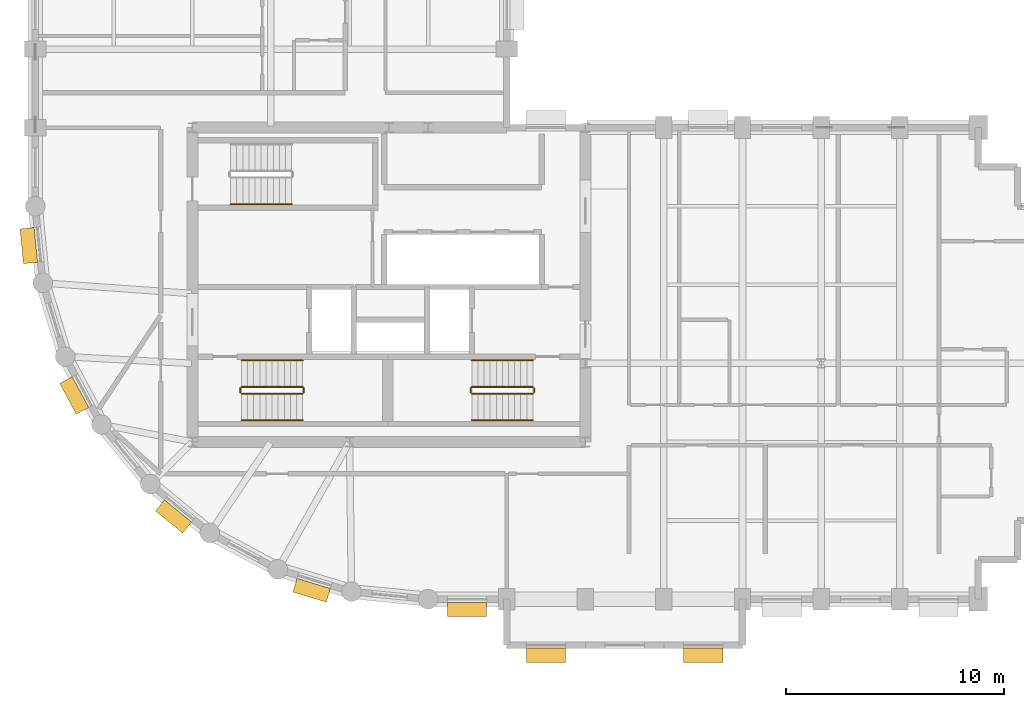
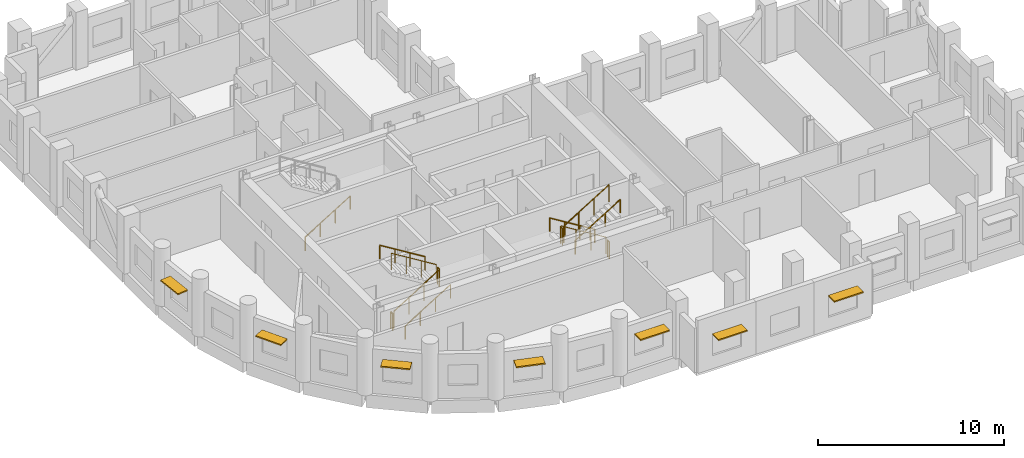
# One storey, part 9 of 11: 13 railings, 7 shading devices.
"""IFC4 building model written with IfcOpenShell, lengths in metres."""

from ifc_helpers import new_model, si_unit, direction, frame, origin, origin_2d, place, context, subcontext, project, spatial, rectangle, circle, extrude, material, layer, layer_set, type_object, element, save


model = new_model("IFC4")

# Units and contexts
model_context = context("Model", 3, precision=1e-05, world=origin(), true_north=direction((0.0, 1.0)))
body_context = subcontext(model_context, "Body", "Model", "MODEL_VIEW")
ifc_project = project(units=[si_unit("LENGTHUNIT", "METRE"), si_unit("AREAUNIT", "SQUARE_METRE"), si_unit("VOLUMEUNIT", "CUBIC_METRE"), si_unit("PLANEANGLEUNIT", "RADIAN"), si_unit("MASSUNIT", "GRAM", prefix="KILO")], contexts=[model_context])

# Site, building, storey
site_placement = place(None, origin())
site = spatial("IfcSite", under=ifc_project, at=site_placement, CompositionType="ELEMENT")
building_placement = place(site_placement, origin())
building = spatial("IfcBuilding", under=site, at=building_placement, Name="Solnavia Interchange Tower", CompositionType="ELEMENT")
storey_placement = place(building_placement, frame((0.0, 0.0, 165.60009765625)))
storey = spatial("IfcBuildingStorey", under=building, at=storey_placement, Name="L41", CompositionType="ELEMENT", Elevation=165.60009765625)

# Railings
ifc_material_1 = material(Name="Painted Steel Balustrade", Category="steel")
railing_type_1 = type_object("IfcRailingType", Name="Railing-StairGuard-1100", PredefinedType="GUARDRAIL", material=ifc_material_1)
railing_1_placement = place(storey_placement, frame((16.64990234375, 13.02001953125, 0.172607421875)))
element("IfcRailing", 1, at=railing_1_placement, inside=storey, type_object=railing_type_1, Name="L41 ST-1 stair guard 1", PredefinedType="GUARDRAIL", context=body_context, shape_type="SweptSolid", body=[
    extrude(circle(Radius=0.02392578125, at=origin_2d()), frame((0.0, 0.0, 1.09619140625), z_axis=(0.851089632645, 0.0, 0.525020415988), x_axis=(0.0, 1.0, 0.0)), (0.0, 0.0, 1.0), 3.2900390625),
    extrude(circle(Radius=0.02099609375, at=origin_2d()), origin(), (0.0, 0.0, 1.0), 1.072021484375),
    extrude(circle(Radius=0.02099609375, at=origin_2d()), frame((0.933349609375, 0.0, 0.57568359375)), (0.0, 0.0, 1.0), 1.072021484375),
    extrude(circle(Radius=0.02099609375, at=origin_2d()), frame((1.86669921875, 0.0, 1.151611328125)), (0.0, 0.0, 1.0), 1.072021484375),
    extrude(circle(Radius=0.02099609375, at=origin_2d()), frame((2.800048828125, 0.0, 1.727294921875)), (0.0, 0.0, 1.0), 1.072021484375),
])
railing_2_placement = place(storey_placement, frame((19.5, 13.070068359375, 1.89990234375)))
element("IfcRailing", 2, at=railing_2_placement, inside=storey, type_object=railing_type_1, Name="L41 ST-1 stair guard 2", PredefinedType="GUARDRAIL", context=body_context, shape_type="SweptSolid", body=[
    extrude(circle(Radius=0.02392578125, at=origin_2d()), frame((0.0, 0.0, 1.09619140625), z_axis=(0.0, 1.0, 0.0), x_axis=(-1.0, 0.0, 0.0)), (0.0, 0.0, 1.0), 0.199951171875),
    extrude(circle(Radius=0.02099609375, at=origin_2d()), origin(), (0.0, 0.0, 1.0), 1.072021484375),
    extrude(circle(Radius=0.02099609375, at=origin_2d()), frame((0.0, 0.199951171875, 0.0)), (0.0, 0.0, 1.0), 1.072021484375),
])
railing_3_placement = place(storey_placement, frame((19.449951171875, 13.320068359375, 2.072509765625)))
element("IfcRailing", 3, at=railing_3_placement, inside=storey, type_object=railing_type_1, Name="L41 ST-1 stair guard 3", PredefinedType="GUARDRAIL", context=body_context, shape_type="SweptSolid", body=[
    extrude(circle(Radius=0.02392578125, at=origin_2d()), frame((0.0, 0.0, 1.09619140625), z_axis=(-0.851089632645, 0.0, 0.525020415988), x_axis=(0.0, -1.0, 0.0)), (0.0, 0.0, 1.0), 3.2900390625),
    extrude(circle(Radius=0.02099609375, at=origin_2d()), origin(), (0.0, 0.0, 1.0), 1.072021484375),
    extrude(circle(Radius=0.02099609375, at=origin_2d()), frame((-0.933349609375, 0.0, 0.57568359375)), (0.0, 0.0, 1.0), 1.072021484375),
    extrude(circle(Radius=0.02099609375, at=origin_2d()), frame((-1.86669921875, 0.0, 1.151611328125)), (0.0, 0.0, 1.0), 1.072021484375),
    extrude(circle(Radius=0.02099609375, at=origin_2d()), frame((-2.800048828125, 0.0, 1.727294921875)), (0.0, 0.0, 1.0), 1.072021484375),
])
railing_4_placement = place(storey_placement, frame((16.60009765625, 13.070068359375, 0.0)))
element("IfcRailing", 4, at=railing_4_placement, inside=storey, type_object=railing_type_1, Name="L41 ST-1 stair guard 4", PredefinedType="GUARDRAIL", context=body_context, shape_type="SweptSolid", body=[
    extrude(circle(Radius=0.02392578125, at=origin_2d()), frame((0.0, 0.0, 1.09619140625), z_axis=(0.0, 1.0, 0.0), x_axis=(-1.0, 0.0, 0.0)), (0.0, 0.0, 1.0), 0.199951171875),
    extrude(circle(Radius=0.02099609375, at=origin_2d()), origin(), (0.0, 0.0, 1.0), 1.072021484375),
    extrude(circle(Radius=0.02099609375, at=origin_2d()), frame((0.0, 0.199951171875, 0.0)), (0.0, 0.0, 1.0), 1.072021484375),
])
railing_5_placement = place(storey_placement, frame((30.0, 13.320068359375, 0.172607421875)))
element("IfcRailing", 5, at=railing_5_placement, inside=storey, type_object=railing_type_1, Name="L41 ST-2 stair guard 1", PredefinedType="GUARDRAIL", context=body_context, shape_type="SweptSolid", body=[
    extrude(circle(Radius=0.02392578125, at=origin_2d()), frame((0.0, 0.0, 1.09619140625), z_axis=(-0.851089632645, 0.0, 0.525020415988), x_axis=(0.0, -1.0, 0.0)), (0.0, 0.0, 1.0), 3.2900390625),
    extrude(circle(Radius=0.02099609375, at=origin_2d()), origin(), (0.0, 0.0, 1.0), 1.072021484375),
    extrude(circle(Radius=0.02099609375, at=origin_2d()), frame((-0.933349609375, 0.0, 0.57568359375)), (0.0, 0.0, 1.0), 1.072021484375),
    extrude(circle(Radius=0.02099609375, at=origin_2d()), frame((-1.86669921875, 0.0, 1.151611328125)), (0.0, 0.0, 1.0), 1.072021484375),
    extrude(circle(Radius=0.02099609375, at=origin_2d()), frame((-2.800048828125, 0.0, 1.727294921875)), (0.0, 0.0, 1.0), 1.072021484375),
])
railing_6_placement = place(storey_placement, frame((27.14990234375, 13.27001953125, 1.89990234375)))
element("IfcRailing", 6, at=railing_6_placement, inside=storey, type_object=railing_type_1, Name="L41 ST-2 stair guard 2", PredefinedType="GUARDRAIL", context=body_context, shape_type="SweptSolid", body=[
    extrude(circle(Radius=0.02392578125, at=origin_2d()), frame((0.0, 0.0, 1.09619140625), z_axis=(0.0, -1.0, 0.0), x_axis=(1.0, 0.0, 0.0)), (0.0, 0.0, 1.0), 0.199951171875),
    extrude(circle(Radius=0.02099609375, at=origin_2d()), origin(), (0.0, 0.0, 1.0), 1.072021484375),
    extrude(circle(Radius=0.02099609375, at=origin_2d()), frame((0.0, -0.199951171875, 0.0)), (0.0, 0.0, 1.0), 1.072021484375),
])
railing_7_placement = place(storey_placement, frame((27.199951171875, 13.02001953125, 2.072509765625)))
element("IfcRailing", 7, at=railing_7_placement, inside=storey, type_object=railing_type_1, Name="L41 ST-2 stair guard 3", PredefinedType="GUARDRAIL", context=body_context, shape_type="SweptSolid", body=[
    extrude(circle(Radius=0.02392578125, at=origin_2d()), frame((0.0, 0.0, 1.09619140625), z_axis=(0.851089632645, 0.0, 0.525020415988), x_axis=(0.0, 1.0, 0.0)), (0.0, 0.0, 1.0), 3.2900390625),
    extrude(circle(Radius=0.02099609375, at=origin_2d()), origin(), (0.0, 0.0, 1.0), 1.072021484375),
    extrude(circle(Radius=0.02099609375, at=origin_2d()), frame((0.933349609375, 0.0, 0.57568359375)), (0.0, 0.0, 1.0), 1.072021484375),
    extrude(circle(Radius=0.02099609375, at=origin_2d()), frame((1.86669921875, 0.0, 1.151611328125)), (0.0, 0.0, 1.0), 1.072021484375),
    extrude(circle(Radius=0.02099609375, at=origin_2d()), frame((2.800048828125, 0.0, 1.727294921875)), (0.0, 0.0, 1.0), 1.072021484375),
])
railing_8_placement = place(storey_placement, frame((30.050048828125, 13.27001953125, 0.0)))
element("IfcRailing", 8, at=railing_8_placement, inside=storey, type_object=railing_type_1, Name="L41 ST-2 stair guard 4", PredefinedType="GUARDRAIL", context=body_context, shape_type="SweptSolid", body=[
    extrude(circle(Radius=0.02392578125, at=origin_2d()), frame((0.0, 0.0, 1.09619140625), z_axis=(0.0, -1.0, 0.0), x_axis=(1.0, 0.0, 0.0)), (0.0, 0.0, 1.0), 0.199951171875),
    extrude(circle(Radius=0.02099609375, at=origin_2d()), origin(), (0.0, 0.0, 1.0), 1.072021484375),
    extrude(circle(Radius=0.02099609375, at=origin_2d()), frame((0.0, -0.199951171875, 0.0)), (0.0, 0.0, 1.0), 1.072021484375),
])
ifc_material_2 = material(Name="Brushed Stainless Steel", Category="steel")
railing_type_2 = type_object("IfcRailingType", Name="Railing-StairHandrail-900", PredefinedType="HANDRAIL", material=ifc_material_2)
railing_9_placement = place(storey_placement, frame((16.64990234375, 11.800048828125, 0.172607421875)))
element("IfcRailing", 9, at=railing_9_placement, inside=storey, type_object=railing_type_2, Name="L41 ST-1 stair handrail 1", PredefinedType="HANDRAIL", context=body_context, shape_type="SweptSolid", body=[
    extrude(circle(Radius=0.02392578125, at=origin_2d()), frame((0.0, 0.0, 0.8759765625), z_axis=(0.851089632645, 0.0, 0.525020415988), x_axis=(0.0, 1.0, 0.0)), (0.0, 0.0, 1.0), 3.2900390625),
    extrude(circle(Radius=0.02099609375, at=origin_2d()), origin(), (0.0, 0.0, 1.0), 0.851806640625),
    extrude(circle(Radius=0.02099609375, at=origin_2d()), frame((0.933349609375, 0.0, 0.57568359375)), (0.0, 0.0, 1.0), 0.851806640625),
    extrude(circle(Radius=0.02099609375, at=origin_2d()), frame((1.86669921875, 0.0, 1.151611328125)), (0.0, 0.0, 1.0), 0.851806640625),
    extrude(circle(Radius=0.02099609375, at=origin_2d()), frame((2.800048828125, 0.0, 1.727294921875)), (0.0, 0.0, 1.0), 0.851806640625),
])
for number, where, name in (
    (10, (19.449951171875, 14.5400390625, 2.072509765625), "L41 ST-1 stair handrail 2"),
    (11, (30.0, 14.5400390625, 0.172607421875), "L41 ST-2 stair handrail 1"),
):
    element("IfcRailing", number, at=place(storey_placement, frame(where)), inside=storey, type_object=railing_type_2, Name=name, PredefinedType="HANDRAIL", context=body_context, shape_type="SweptSolid", body=[
        extrude(circle(Radius=0.02392578125, at=origin_2d()), frame((0.0, 0.0, 0.8759765625), z_axis=(-0.851089632645, 0.0, 0.525020415988), x_axis=(0.0, -1.0, 0.0)), (0.0, 0.0, 1.0), 3.2900390625),
        extrude(circle(Radius=0.02099609375, at=origin_2d()), origin(), (0.0, 0.0, 1.0), 0.851806640625),
        extrude(circle(Radius=0.02099609375, at=origin_2d()), frame((-0.933349609375, 0.0, 0.57568359375)), (0.0, 0.0, 1.0), 0.851806640625),
        extrude(circle(Radius=0.02099609375, at=origin_2d()), frame((-1.86669921875, 0.0, 1.151611328125)), (0.0, 0.0, 1.0), 0.851806640625),
        extrude(circle(Radius=0.02099609375, at=origin_2d()), frame((-2.800048828125, 0.0, 1.727294921875)), (0.0, 0.0, 1.0), 0.851806640625),
    ])
for number, where, name in (
    (12, (27.199951171875, 11.800048828125, 2.072509765625), "L41 ST-2 stair handrail 2"),
    (13, (16.14990234375, 21.699951171875, 0.172607421875), "L41 ST-3 stair handrail 1"),
):
    element("IfcRailing", number, at=place(storey_placement, frame(where)), inside=storey, type_object=railing_type_2, Name=name, PredefinedType="HANDRAIL", context=body_context, shape_type="SweptSolid", body=[
        extrude(circle(Radius=0.02392578125, at=origin_2d()), frame((0.0, 0.0, 0.8759765625), z_axis=(0.851089632645, 0.0, 0.525020415988), x_axis=(0.0, 1.0, 0.0)), (0.0, 0.0, 1.0), 3.2900390625),
        extrude(circle(Radius=0.02099609375, at=origin_2d()), origin(), (0.0, 0.0, 1.0), 0.851806640625),
        extrude(circle(Radius=0.02099609375, at=origin_2d()), frame((0.933349609375, 0.0, 0.57568359375)), (0.0, 0.0, 1.0), 0.851806640625),
        extrude(circle(Radius=0.02099609375, at=origin_2d()), frame((1.86669921875, 0.0, 1.151611328125)), (0.0, 0.0, 1.0), 0.851806640625),
        extrude(circle(Radius=0.02099609375, at=origin_2d()), frame((2.800048828125, 0.0, 1.727294921875)), (0.0, 0.0, 1.0), 0.851806640625),
    ])

# Shading devices
ifc_material_3 = material(Name="Anodised Aluminium Sunshade", Category="aluminium")
ifc_layer = layer(ifc_material_3, 0.080078125)
ifc_layer_set = layer_set([ifc_layer], Name="Anodised Aluminium Sunshade")
shading_device_type = type_object("IfcShadingDeviceType", Name="Sunshade-Band-650", PredefinedType="SHUTTER", material=ifc_layer_set)
for number, where, z_axis, x_axis, name in (
    (14, (26.97509765625, 3.1298828125, 2.219970703125), (0.0, 0.0, 1.0), (-1.0, 0.0, 0.0), "SHD-L41-01 Horizontal sunshade band"),
    (15, (30.60009765625, 1.030029296875, 2.219970703125), (0.0, 0.0, 1.0), (-1.0, 0.0, 0.0), "SHD-L41-03 Horizontal sunshade band"),
    (16, (37.800048828125, 1.030029296875, 2.219970703125), (0.0, 0.0, 1.0), (-1.0, 0.0, 0.0), "SHD-L41-05 Horizontal sunshade band"),
):
    element("IfcShadingDevice", number, at=place(storey_placement, frame(where, z_axis=z_axis, x_axis=x_axis)), inside=storey, type_object=shading_device_type, Name=name, PredefinedType="SHUTTER", context=body_context, shape_type="SweptSolid", body=[
        extrude(rectangle(XDim=1.800048828125, YDim=0.64990234375, at=origin_2d()), origin(), (0.0, 0.0, 1.0), 0.080078125),
    ])
for number, where, z_axis, x_axis, name in (
    (17, (6.9052734375, 19.79833984375, 2.219970703125), (0.0, 0.0, 1.0), (-0.098103986207, 0.995176169274, 0.0), "SHD-L41-49 Horizontal sunshade band"),
    (18, (8.98779296875, 12.93408203125, 2.219970703125), (0.0, 0.0, 1.0), (-0.47147369718, 0.881880123865, 0.0), "SHD-L41-51 Horizontal sunshade band"),
    (19, (13.5380859375, 7.389404296875, 2.219970703125), (0.0, 0.0, 1.0), (-0.773176510644, 0.634190888762, 0.0), "SHD-L41-53 Horizontal sunshade band"),
    (20, (19.863525390625, 4.00830078125, 2.219970703125), (0.0, 0.0, 1.0), (-0.956965664205, 0.290201167351, 0.0), "SHD-L41-55 Horizontal sunshade band"),
):
    element("IfcShadingDevice", number, at=place(storey_placement, frame(where, z_axis=z_axis, x_axis=x_axis)), inside=storey, type_object=shading_device_type, Name=name, PredefinedType="SHUTTER", context=body_context, shape_type="SweptSolid", body=[
        extrude(rectangle(XDim=1.60009765625, YDim=0.64990234375, at=origin_2d()), origin(), (0.0, 0.0, 1.0), 0.080078125),
    ])

save(model, "model.ifc")
